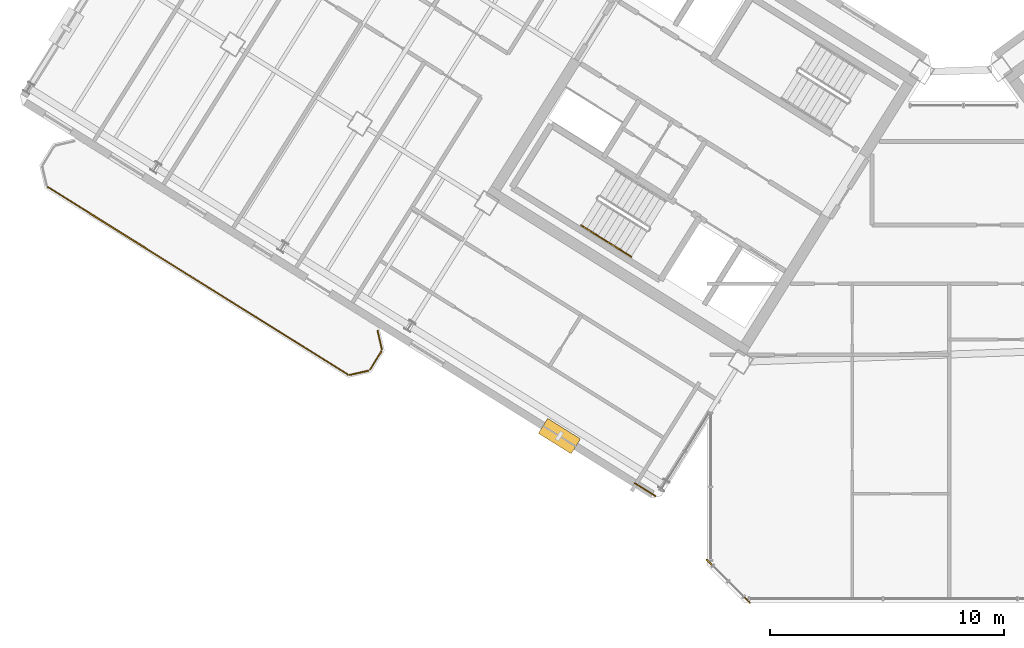
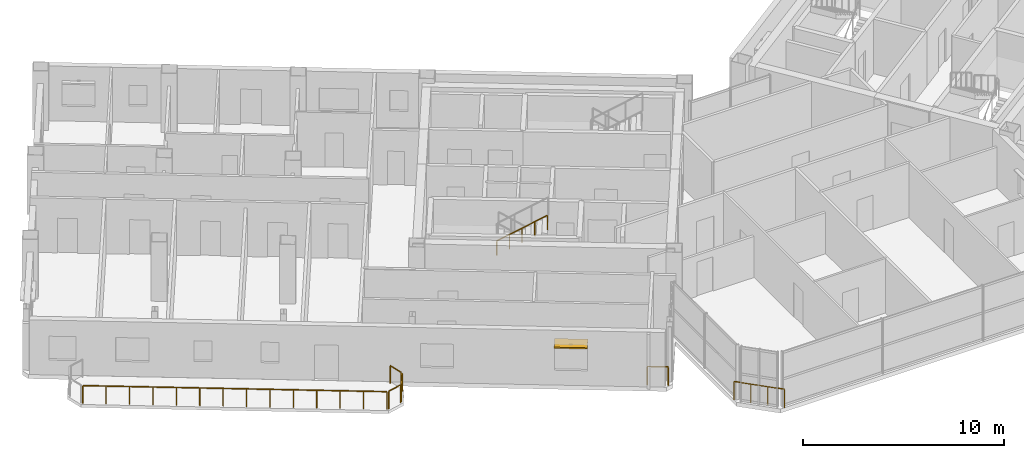
# One storey, part 23 of 27: 8 railings, 1 shading device.
"""IFC4 building model written with IfcOpenShell, lengths in metres."""

from ifc_helpers import new_model, si_unit, direction, frame, origin, origin_2d, place, context, subcontext, project, spatial, rectangle, extrude, source, transform, mapped, material, layer, layer_set, type_object, element, save


model = new_model("IFC4")

# Units and contexts
model_context = context("Model", 3, precision=1e-05, world=origin(), true_north=direction((0.0, 1.0)))
body_context = subcontext(model_context, "Body", "Model", "MODEL_VIEW")
ifc_project = project(units=[si_unit("LENGTHUNIT", "METRE"), si_unit("AREAUNIT", "SQUARE_METRE"), si_unit("VOLUMEUNIT", "CUBIC_METRE"), si_unit("PLANEANGLEUNIT", "RADIAN"), si_unit("MASSUNIT", "GRAM", prefix="KILO")], contexts=[model_context])

# Site, building, storey
site_placement = place(None, origin())
site = spatial("IfcSite", under=ifc_project, at=site_placement, CompositionType="ELEMENT")
building_placement = place(site_placement, origin())
building = spatial("IfcBuilding", under=site, at=building_placement, Name="Tlacorven Tower", CompositionType="ELEMENT")
storey_placement = place(building_placement, frame((0.0, 0.0, 242.10009765625)))
storey = spatial("IfcBuildingStorey", under=building, at=storey_placement, Name="L61", CompositionType="ELEMENT", Elevation=242.10009765625)

# Railings
ifc_material_1 = material(Name="Aluminium and painted steel balustrade", Category="steel")
railing_type_1 = type_object("IfcRailingType", Name="RL-BAL-1100", PredefinedType="BALUSTRADE", material=ifc_material_1)
shared_shape_1 = source(origin(), body_context, "Body", "SweptSolid", [
    extrude(rectangle(XDim=0.048095703125, YDim=0.048095703125, at=origin_2d()), frame((0.0, 0.0, 1.076171875), z_axis=(0.225058334816, -0.974345290916, 0.0), x_axis=(0.974345290916, 0.225058334816, 0.0)), (0.0, 0.0, 1.0), 0.80712890625),
    extrude(rectangle(XDim=0.0419921875, YDim=0.0419921875, at=origin_2d()), origin(), (0.0, 0.0, 1.0), 1.052001953125),
    extrude(rectangle(XDim=0.0419921875, YDim=0.0419921875, at=origin_2d()), frame((0.181640625, -0.786376953125, 0.0)), (0.0, 0.0, 1.0), 1.052001953125),
])
railing_1_placement = place(storey_placement, frame((17.5244140625, 13.413330078125, 0.0)))
element("IfcRailing", 1, at=railing_1_placement, inside=storey, type_object=railing_type_1, Name="BAL-L61-W-OUT Guard Railing 1", PredefinedType="BALUSTRADE", context=body_context, shape_type="MappedRepresentation", body=[
    mapped(shared_shape_1, transform((0.0, 0.0, 0.0), scale=1.0)),
])
shared_shape_2 = source(origin(), body_context, "Body", "SweptSolid", [
    extrude(rectangle(XDim=0.048095703125, YDim=0.048095703125, at=origin_2d()), frame((0.0, 0.0, 1.076171875), z_axis=(-0.52987865805, -0.848073468364, 0.0), x_axis=(0.848073468364, -0.52987865805, 0.0)), (0.0, 0.0, 1.0), 0.912353515625),
    extrude(rectangle(XDim=0.0419921875, YDim=0.0419921875, at=origin_2d()), origin(), (0.0, 0.0, 1.0), 1.052001953125),
    extrude(rectangle(XDim=0.0419921875, YDim=0.0419921875, at=origin_2d()), frame((-0.4833984375, -0.773681640625, 0.0)), (0.0, 0.0, 1.0), 1.052001953125),
])
railing_2_placement = place(storey_placement, frame((17.690673828125, 12.535888671875, 0.0)))
element("IfcRailing", 2, at=railing_2_placement, inside=storey, type_object=railing_type_1, Name="BAL-L61-W-OUT Guard Railing 2", PredefinedType="BALUSTRADE", context=body_context, shape_type="MappedRepresentation", body=[
    mapped(shared_shape_2, transform((0.0, 0.0, 0.0), scale=1.0)),
])
shared_shape_3 = source(origin(), body_context, "Body", "SweptSolid", [
    extrude(rectangle(XDim=0.048095703125, YDim=0.048095703125, at=origin_2d()), frame((0.0, 0.0, 1.076171875), z_axis=(-0.974411586182, -0.224771129628, 0.0), x_axis=(0.224771129628, -0.974411586182, 0.0)), (0.0, 0.0, 1.0), 0.80712890625),
    extrude(rectangle(XDim=0.0419921875, YDim=0.0419921875, at=origin_2d()), origin(), (0.0, 0.0, 1.0), 1.052001953125),
    extrude(rectangle(XDim=0.0419921875, YDim=0.0419921875, at=origin_2d()), frame((-0.786376953125, -0.181396484375, 0.0)), (0.0, 0.0, 1.0), 1.052001953125),
])
railing_3_placement = place(storey_placement, frame((17.132080078125, 11.70849609375, 0.0)))
element("IfcRailing", 3, at=railing_3_placement, inside=storey, type_object=railing_type_1, Name="BAL-L61-W-OUT Guard Railing 3", PredefinedType="BALUSTRADE", context=body_context, shape_type="MappedRepresentation", body=[
    mapped(shared_shape_3, transform((0.0, 0.0, 0.0), scale=1.0)),
])
shared_shape_4 = source(origin(), body_context, "Body", "SweptSolid", [
    extrude(rectangle(XDim=0.048095703125, YDim=0.048095703125, at=origin_2d()), frame((0.0, 0.0, 1.076171875), z_axis=(-0.848044572804, 0.529924902733, 0.0), x_axis=(-0.529924902733, -0.848044572804, 0.0)), (0.0, 0.0, 1.0), 15.1171875),
    extrude(rectangle(XDim=0.0419921875, YDim=0.0419921875, at=origin_2d()), origin(), (0.0, 0.0, 1.0), 1.052001953125),
    extrude(rectangle(XDim=0.0419921875, YDim=0.0419921875, at=origin_2d()), frame((-0.986083984375, 0.6162109375, 0.0)), (0.0, 0.0, 1.0), 1.052001953125),
    extrude(rectangle(XDim=0.0419921875, YDim=0.0419921875, at=origin_2d()), frame((-1.972412109375, 1.232421875, 0.0)), (0.0, 0.0, 1.0), 1.052001953125),
    extrude(rectangle(XDim=0.0419921875, YDim=0.0419921875, at=origin_2d()), frame((-2.95849609375, 1.8486328125, 0.0)), (0.0, 0.0, 1.0), 1.052001953125),
    extrude(rectangle(XDim=0.0419921875, YDim=0.0419921875, at=origin_2d()), frame((-3.944580078125, 2.46484375, 0.0)), (0.0, 0.0, 1.0), 1.052001953125),
    extrude(rectangle(XDim=0.0419921875, YDim=0.0419921875, at=origin_2d()), frame((-4.930908203125, 3.0810546875, 0.0)), (0.0, 0.0, 1.0), 1.052001953125),
    extrude(rectangle(XDim=0.0419921875, YDim=0.0419921875, at=origin_2d()), frame((-5.9169921875, 3.697265625, 0.0)), (0.0, 0.0, 1.0), 1.052001953125),
    extrude(rectangle(XDim=0.0419921875, YDim=0.0419921875, at=origin_2d()), frame((-6.903076171875, 4.313720703125, 0.0)), (0.0, 0.0, 1.0), 1.052001953125),
    extrude(rectangle(XDim=0.0419921875, YDim=0.0419921875, at=origin_2d()), frame((-7.88916015625, 4.929931640625, 0.0)), (0.0, 0.0, 1.0), 1.052001953125),
    extrude(rectangle(XDim=0.0419921875, YDim=0.0419921875, at=origin_2d()), frame((-8.87548828125, 5.546142578125, 0.0)), (0.0, 0.0, 1.0), 1.052001953125),
    extrude(rectangle(XDim=0.0419921875, YDim=0.0419921875, at=origin_2d()), frame((-9.861572265625, 6.162353515625, 0.0)), (0.0, 0.0, 1.0), 1.052001953125),
    extrude(rectangle(XDim=0.0419921875, YDim=0.0419921875, at=origin_2d()), frame((-10.84765625, 6.778564453125, 0.0)), (0.0, 0.0, 1.0), 1.052001953125),
    extrude(rectangle(XDim=0.0419921875, YDim=0.0419921875, at=origin_2d()), frame((-11.833984375, 7.394775390625, 0.0)), (0.0, 0.0, 1.0), 1.052001953125),
    extrude(rectangle(XDim=0.0419921875, YDim=0.0419921875, at=origin_2d()), frame((-12.820068359375, 8.010986328125, 0.0)), (0.0, 0.0, 1.0), 1.052001953125),
])
railing_4_placement = place(storey_placement, frame((16.254638671875, 11.542236328125, 0.0)))
element("IfcRailing", 4, at=railing_4_placement, inside=storey, type_object=railing_type_1, Name="BAL-L61-W-OUT Guard Railing 4", PredefinedType="BALUSTRADE", context=body_context, shape_type="MappedRepresentation", body=[
    mapped(shared_shape_4, transform((0.0, 0.0, 0.0), scale=1.0)),
])
railing_type_2 = type_object("IfcRailingType", Name="RL-GRD-1150", PredefinedType="GUARDRAIL", material=ifc_material_1)
shared_shape_5 = source(origin(), body_context, "Body", "SweptSolid", [
    extrude(rectangle(XDim=0.048095703125, YDim=0.048095703125, at=origin_2d()), frame((0.0, 0.0, 1.1259765625), z_axis=(-0.707106781187, 0.707106781187, 0.0), x_axis=(-0.707106781187, -0.707106781187, 0.0)), (0.0, 0.0, 1.0), 2.590087890625),
    extrude(rectangle(XDim=0.0419921875, YDim=0.0419921875, at=origin_2d()), origin(), (0.0, 0.0, 1.0), 1.101806640625),
    extrude(rectangle(XDim=0.0419921875, YDim=0.0419921875, at=origin_2d()), frame((-0.610595703125, 0.610595703125, 0.0)), (0.0, 0.0, 1.0), 1.101806640625),
    extrude(rectangle(XDim=0.0419921875, YDim=0.0419921875, at=origin_2d()), frame((-1.220947265625, 1.220947265625, 0.0)), (0.0, 0.0, 1.0), 1.101806640625),
    extrude(rectangle(XDim=0.0419921875, YDim=0.0419921875, at=origin_2d()), frame((-1.83154296875, 1.83154296875, 0.0)), (0.0, 0.0, 1.0), 1.101806640625),
])
railing_5_placement = place(storey_placement, frame((33.428955078125, 1.79736328125, 0.0)))
element("IfcRailing", 5, at=railing_5_placement, inside=storey, type_object=railing_type_2, Name="L61 Knuckle Glazed Sill Guard 1", PredefinedType="GUARDRAIL", context=body_context, shape_type="MappedRepresentation", body=[
    mapped(shared_shape_5, transform((0.0, 0.0, 0.0), scale=1.0)),
])
shared_shape_6 = source(origin(), body_context, "Body", "SweptSolid", [
    extrude(rectangle(XDim=0.048095703125, YDim=0.048095703125, at=origin_2d()), frame((0.0, 0.0, 1.1259765625), z_axis=(-0.848102774857, 0.529831749973, 0.0), x_axis=(-0.529831749973, -0.848102774857, 0.0)), (0.0, 0.0, 1.0), 1.050048828125),
    extrude(rectangle(XDim=0.0419921875, YDim=0.0419921875, at=origin_2d()), origin(), (0.0, 0.0, 1.0), 1.101806640625),
    extrude(rectangle(XDim=0.0419921875, YDim=0.0419921875, at=origin_2d()), frame((-0.890625, 0.556396484375, 0.0)), (0.0, 0.0, 1.0), 1.101806640625),
])
railing_6_placement = place(storey_placement, frame((29.39501953125, 6.35009765625, 0.0)))
element("IfcRailing", 6, at=railing_6_placement, inside=storey, type_object=railing_type_2, Name="L61 Knuckle Glazed Sill Guard 2", PredefinedType="GUARDRAIL", context=body_context, shape_type="MappedRepresentation", body=[
    mapped(shared_shape_6, transform((0.0, 0.0, 0.0), scale=1.0)),
])

# Shading device
ifc_material_2 = material(Name="Anodised bronze aluminium sunshade", Category="aluminium")
ifc_layer = layer(ifc_material_2, 0.080078125)
ifc_layer_set = layer_set([ifc_layer], Name="Anodised bronze aluminium sunshade")
shading_device_type = type_object("IfcShadingDeviceType", Name="SH-SUN-BRZ", PredefinedType="AWNING", material=ifc_layer_set)
shared_shape_7 = source(origin(), body_context, "Body", "SweptSolid", [
    extrude(rectangle(XDim=1.64990234375, YDim=0.75, at=origin_2d()), origin(), (0.0, 0.0, 1.0), 0.080078125),
])
shading_device_placement = place(storey_placement, frame((25.295654296875, 8.911376953125, 2.369873046875), z_axis=(0.0, 0.0, 1.0), x_axis=(-0.84804812172, 0.529919223323, 0.0)))
element("IfcShadingDevice", 7, at=shading_device_placement, inside=storey, type_object=shading_device_type, Name="L61 Solar Brise-Soleil Sunshade L61-01.1", PredefinedType="AWNING", context=body_context, shape_type="MappedRepresentation", body=[
    mapped(shared_shape_7, transform((0.0, 0.0, 0.0), scale=1.0)),
])

# Railings
railing_type_3 = type_object("IfcRailingType", Name="RL-HND-0900", PredefinedType="HANDRAIL", material=ifc_material_1)
shared_shape_8 = source(origin(), body_context, "Body", "SweptSolid", [
    extrude(rectangle(XDim=0.048095703125, YDim=0.048095703125, at=origin_2d()), frame((0.0, 0.0, 0.8759765625), z_axis=(0.713279695859, -0.445799809912, 0.540827703579), x_axis=(0.529998940003, 0.847998304005, 0.0)), (0.0, 0.0, 1.0), 1.497802734375),
    extrude(rectangle(XDim=0.0419921875, YDim=0.0419921875, at=origin_2d()), origin(), (0.0, 0.0, 1.0), 0.851806640625),
    extrude(rectangle(XDim=0.0419921875, YDim=0.0419921875, at=origin_2d()), frame((0.5341796875, -0.333984375, 0.405029296875)), (0.0, 0.0, 1.0), 0.851806640625),
    extrude(rectangle(XDim=0.0419921875, YDim=0.0419921875, at=origin_2d()), frame((1.068359375, -0.667724609375, 0.81005859375)), (0.0, 0.0, 1.0), 0.851806640625),
])
railing_7_placement = place(storey_placement, frame((27.29736328125, 17.24755859375, 2.789794921875)))
element("IfcRailing", 8, at=railing_7_placement, inside=storey, type_object=railing_type_3, Name="L61 ST-W1 stair handrail 4", PredefinedType="HANDRAIL", context=body_context, shape_type="MappedRepresentation", body=[
    mapped(shared_shape_8, transform((0.0, 0.0, 0.0), scale=1.0)),
])
shared_shape_9 = source(origin(), body_context, "Body", "SweptSolid", [
    extrude(rectangle(XDim=0.048095703125, YDim=0.048095703125, at=origin_2d()), frame((0.0, 0.0, 0.8759765625), z_axis=(0.713422621445, -0.445787267455, 0.540649494022), x_axis=(0.529911857636, 0.848052724267, 0.0)), (0.0, 0.0, 1.0), 1.497802734375),
    extrude(rectangle(XDim=0.0419921875, YDim=0.0419921875, at=origin_2d()), origin(), (0.0, 0.0, 1.0), 0.851806640625),
    extrude(rectangle(XDim=0.0419921875, YDim=0.0419921875, at=origin_2d()), frame((0.5341796875, -0.333984375, 0.40478515625)), (0.0, 0.0, 1.0), 0.851806640625),
    extrude(rectangle(XDim=0.0419921875, YDim=0.0419921875, at=origin_2d()), frame((1.068603515625, -0.667724609375, 0.809814453125)), (0.0, 0.0, 1.0), 0.851806640625),
])
railing_8_placement = place(storey_placement, frame((26.228759765625, 17.915283203125, 1.97998046875)))
element("IfcRailing", 9, at=railing_8_placement, inside=storey, type_object=railing_type_3, Name="L61 ST-W1 stair handrail 3", PredefinedType="HANDRAIL", context=body_context, shape_type="MappedRepresentation", body=[
    mapped(shared_shape_9, transform((0.0, 0.0, 0.0), scale=1.0)),
])

save(model, "model.ifc")
